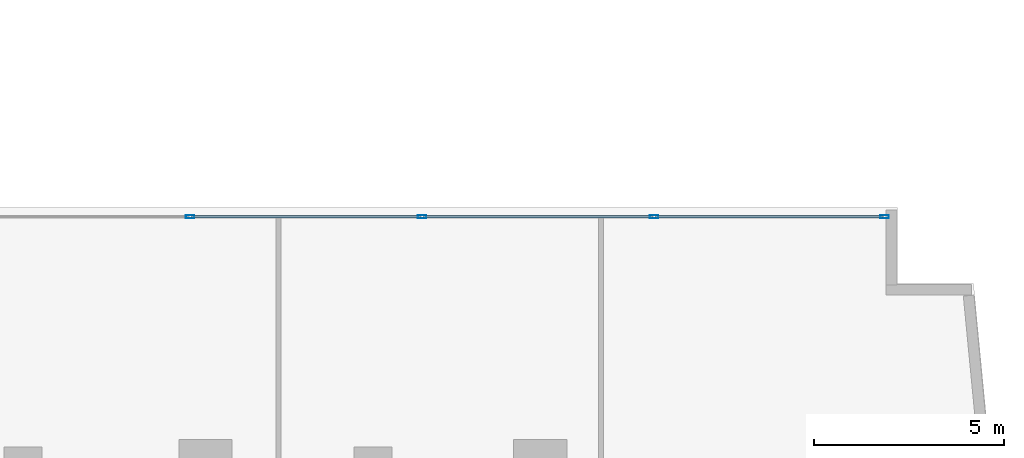
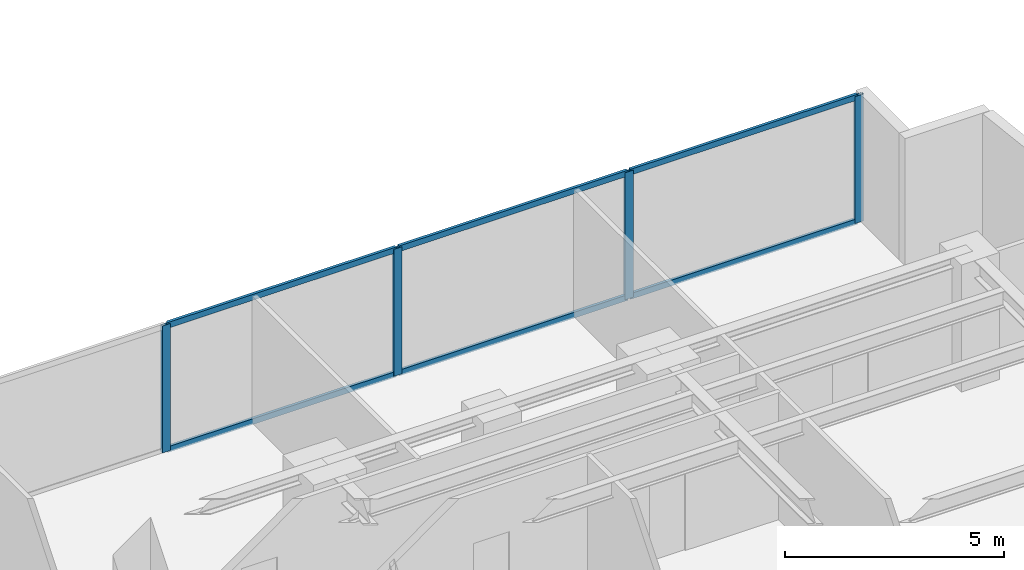
# One storey, part 14 of 28: 10 members, 1 element without a shape of its own.
"""IFC4 building model written with IfcOpenShell, lengths in metres."""

import ifcopenshell
import ifcopenshell.guid

model = None  # the IFC model being written
_history = None  # IfcOwnerHistory: only IFC2X3 demands one
_inside = {}  # id of a spatial element -> (the spatial element, [elements in it])
_under = {}  # id of a project, library or spatial element -> (it, [spatial elements below it])
_declared = {}  # id of a project -> (the project, [libraries it declares])
_typed = {}  # id of a type object -> (the type object, [elements of that type])
_made_of = {}  # id of a material, layer set ... -> (it, [elements and type objects made of it])


def new_model(schema):
    """Start an empty IFC model of exactly this schema.

    Asked for "IFC4X3", IfcOpenShell would pick the latest addendum, in which some entities
    have other attributes; the version numbers below select the first issue.
    IFC2X3 requires an IfcOwnerHistory on every rooted entity: one is made here for all.
    """
    global model, _history
    if schema == "IFC4X3":
        model = ifcopenshell.file(schema_version=(4, 3, 0, 0))
    else:
        model = ifcopenshell.file(schema=schema)
    _inside.clear()
    _under.clear()
    _declared.clear()
    _typed.clear()
    _made_of.clear()
    _history = None
    if model.schema == "IFC2X3":
        org = make("IfcOrganization", Name="unknown")
        user = make(
            "IfcPersonAndOrganization",
            ThePerson=make("IfcPerson", FamilyName="unknown"),
            TheOrganization=org,
        )
        app = make(
            "IfcApplication",
            ApplicationDeveloper=org,
            Version="unknown",
            ApplicationFullName="unknown",
            ApplicationIdentifier="unknown",
        )
        _history = make(
            "IfcOwnerHistory",
            OwningUser=user,
            OwningApplication=app,
            ChangeAction="ADDED",
            CreationDate=0,
        )
    return model


def make(cls, **values):
    """One entity of the class cls with the attributes given. An attribute that is None is left unset."""
    return model.create_entity(
        cls, **{name: value for name, value in values.items() if value is not None}
    )


def rooted(cls, **values):
    """An entity with a GlobalId (a new one), such as an element, a storey or a relation."""
    return make(cls, GlobalId=ifcopenshell.guid.new(), OwnerHistory=_history, **values)


def si_unit(unit_type, name, prefix=None):
    """IfcSIUnit, for example si_unit("LENGTHUNIT", "METRE", prefix="MILLI")."""
    return make("IfcSIUnit", UnitType=unit_type, Prefix=prefix, Name=name)


def assignment(units):
    """IfcUnitAssignment: the units of a project."""
    return None if units is None else make("IfcUnitAssignment", Units=units)


def point(xyz):
    """IfcCartesianPoint."""
    return None if xyz is None else make("IfcCartesianPoint", Coordinates=xyz)


def direction(xyz):
    """IfcDirection."""
    return None if xyz is None else make("IfcDirection", DirectionRatios=xyz)


def frame(location, z_axis=None, x_axis=None):
    """IfcAxis2Placement3D, a coordinate frame: its origin and axes. An axis left out is left unset."""
    return make(
        "IfcAxis2Placement3D",
        Location=point(location),
        Axis=direction(z_axis),
        RefDirection=direction(x_axis),
    )


def frame_2d(location, x_axis=None):
    """IfcAxis2Placement2D, a coordinate frame in the plane: its origin and x axis."""
    return make(
        "IfcAxis2Placement2D", Location=point(location), RefDirection=direction(x_axis)
    )


def origin():
    """The frame at (0, 0, 0) with its axes left unset."""
    return frame((0.0, 0.0, 0.0))


def origin_with_axes():
    """The frame at (0, 0, 0) with the z axis (0, 0, 1) and the x axis (1, 0, 0) written out."""
    return frame((0.0, 0.0, 0.0), z_axis=(0.0, 0.0, 1.0), x_axis=(1.0, 0.0, 0.0))


def origin_2d():
    """The frame at (0, 0) in the plane with its x axis left unset."""
    return frame_2d((0.0, 0.0))


def place(relative_to, where):
    """IfcLocalPlacement: puts the frame where relative to a parent placement (None: the world)."""
    return make(
        "IfcLocalPlacement", PlacementRelTo=relative_to, RelativePlacement=where
    )


def context(
    kind, dimensions, precision=None, world=None, true_north=None, identifier=None
):
    """IfcGeometricRepresentationContext, for example the 3D "Model" context."""
    return make(
        "IfcGeometricRepresentationContext",
        ContextIdentifier=identifier,
        ContextType=kind,
        CoordinateSpaceDimension=dimensions,
        Precision=precision,
        WorldCoordinateSystem=world,
        TrueNorth=true_north,
    )


def subcontext(parent, identifier, kind, view, scale=None):
    """IfcGeometricRepresentationSubContext, for example "Body" below "Model"."""
    return make(
        "IfcGeometricRepresentationSubContext",
        ContextIdentifier=identifier,
        ContextType=kind,
        ParentContext=parent,
        TargetScale=scale,
        TargetView=view,
    )


def project(units=None, contexts=None):
    """IfcProject with its units and contexts."""
    return rooted(
        "IfcProject",
        Name="project",
        RepresentationContexts=contexts,
        UnitsInContext=assignment(units),
    )


def spatial(cls, under=None, at=None, **own):
    """A site, building, storey or space (cls), placed at a placement, below another one or the project."""
    s = rooted(cls, ObjectPlacement=at, **own)
    if under is not None:
        _under.setdefault(under.id(), (under, []))[1].append(s)
    return s


def profile(cls, at=None, kind="AREA", **sizes):
    """A parametric profile (cls). Its sizes go by their IFC names, for example OverallWidth=200.0."""
    return make(cls, ProfileType=kind, Position=at, **sizes)


def hollow_rectangle(**sizes):
    """IfcRectangleHollowProfileDef."""
    return profile("IfcRectangleHollowProfileDef", **sizes)


def extrude(swept, where, along, depth):
    """IfcExtrudedAreaSolid: the profile swept, set in the frame where, extruded along a direction by depth."""
    return make(
        "IfcExtrudedAreaSolid",
        SweptArea=swept,
        Position=where,
        ExtrudedDirection=direction(along),
        Depth=depth,
    )


def shape(context_of_items, identifier, shape_type, items):
    """IfcShapeRepresentation: the items that make up one representation, for example the "Body"."""
    return make(
        "IfcShapeRepresentation",
        ContextOfItems=context_of_items,
        RepresentationIdentifier=identifier,
        RepresentationType=shape_type,
        Items=items,
    )


def source(mapping_origin, context_of_items, identifier, shape_type, items):
    """IfcRepresentationMap: a shape defined once, which mapped items show again and again."""
    return make(
        "IfcRepresentationMap",
        MappingOrigin=mapping_origin,
        MappedRepresentation=shape(context_of_items, identifier, shape_type, items),
    )


def transform(
    local_origin,
    x_axis=None,
    y_axis=None,
    z_axis=None,
    scale=None,
    scale2=None,
    scale3=None,
    uniform=True,
):
    """IfcCartesianTransformationOperator3D, or its non-uniform kind. x_axis, y_axis, z_axis: its Axis1, 2, 3."""
    if uniform:
        return make(
            "IfcCartesianTransformationOperator3D",
            Axis1=direction(x_axis),
            Axis2=direction(y_axis),
            LocalOrigin=point(local_origin),
            Scale=scale,
            Axis3=direction(z_axis),
        )
    return make(
        "IfcCartesianTransformationOperator3DnonUniform",
        Axis1=direction(x_axis),
        Axis2=direction(y_axis),
        LocalOrigin=point(local_origin),
        Scale=scale,
        Axis3=direction(z_axis),
        Scale2=scale2,
        Scale3=scale3,
    )


def mapped(mapping_source, mapping_target):
    """IfcMappedItem: shows the shape of a source again, moved by a transform."""
    return make(
        "IfcMappedItem", MappingSource=mapping_source, MappingTarget=mapping_target
    )


def material(Name=None, Category=None):
    """IfcMaterial."""
    return make("IfcMaterial", Name=Name, Category=Category)


def layer(
    of_material, thickness, ventilated=None, Name=None, Category=None, Priority=None
):
    """IfcMaterialLayer: one layer of a wall or slab, of a material (None: an air gap)."""
    return make(
        "IfcMaterialLayer",
        Material=of_material,
        LayerThickness=thickness,
        IsVentilated=ventilated,
        Name=Name,
        Category=Category,
        Priority=Priority,
    )


def layer_set(layers, Name=None):
    """IfcMaterialLayerSet."""
    return make("IfcMaterialLayerSet", MaterialLayers=layers, LayerSetName=Name)


def material_profile(
    of_material, cross_section, Name=None, Category=None, Priority=None
):
    """IfcMaterialProfile: a cross section and its material."""
    return make(
        "IfcMaterialProfile",
        Name=Name,
        Material=of_material,
        Profile=cross_section,
        Priority=Priority,
        Category=Category,
    )


def profile_set(profiles, Name=None, composite=None):
    """IfcMaterialProfileSet."""
    return make(
        "IfcMaterialProfileSet",
        Name=Name,
        MaterialProfiles=profiles,
        CompositeProfile=composite,
    )


def made_of(thing, what):
    """Note that an element or type object is made of a material, layer set ...; save() writes the relation."""
    if what is not None:
        _made_of.setdefault(what.id(), (what, []))[1].append(thing)
    return thing


def type_object(cls, material=None, **own):
    """A type object (cls), such as IfcWallType, which elements share."""
    return made_of(rooted(cls, **own), material)


def element(
    cls,
    number,
    at=None,
    inside=None,
    cuts=None,
    type_object=None,
    material=None,
    context=None,
    identifier="Body",
    shape_type=None,
    held_by="IfcProductDefinitionShape",
    body=None,
    shapes=None,
    **own,
):
    """One element of the class cls, such as IfcWall. Its Tag is "e" and its number.

    at: its placement. inside: the storey or other place that contains it. cuts: it is an
    opening in that element (IfcRelVoidsElement). A single representation is given by context,
    identifier, shape_type and body (its items); several are given by shapes. held_by: the class
    of the entity that holds the representations. save() writes the other relations.
    """
    e = rooted(cls, Tag="e%d" % number, ObjectPlacement=at, **own)
    if body is not None:
        shapes = [shape(context, identifier, shape_type, body)]
    if shapes is not None:
        e.Representation = make(held_by, Representations=shapes)
    if inside is not None:
        _inside.setdefault(inside.id(), (inside, []))[1].append(e)
    if cuts is not None:
        rooted(
            "IfcRelVoidsElement", RelatingBuildingElement=cuts, RelatedOpeningElement=e
        )
    if type_object is not None:
        _typed.setdefault(type_object.id(), (type_object, []))[1].append(e)
    return made_of(e, material)


def aggregate(whole, parts):
    """IfcRelAggregates: a whole, such as a stair, and the parts it consists of."""
    return rooted("IfcRelAggregates", RelatingObject=whole, RelatedObjects=parts)


def save(model, path):
    """Write the relations noted so far, then the file.

    IfcRelAggregates (storeys below a building ...), IfcRelContainedInSpatialStructure (elements
    in a storey), IfcRelDefinesByType, IfcRelAssociatesMaterial and IfcRelDeclares: one each for
    every whole, place, type object, material and project.
    """
    for whole, parts in _under.values():
        aggregate(whole, parts)
    for where, things in _inside.values():
        rooted(
            "IfcRelContainedInSpatialStructure",
            RelatedElements=things,
            RelatingStructure=where,
        )
    for kind, things in _typed.values():
        rooted("IfcRelDefinesByType", RelatedObjects=things, RelatingType=kind)
    for what, things in _made_of.values():
        rooted("IfcRelAssociatesMaterial", RelatedObjects=things, RelatingMaterial=what)
    for by, libraries in _declared.values():
        rooted("IfcRelDeclares", RelatingContext=by, RelatedDefinitions=libraries)
    model.write(path)


model = new_model("IFC4")

# Units and contexts
model_context = context("Model", 3, precision=1e-05, world=origin(), true_north=direction((0.0, 1.0)))
body_context = subcontext(model_context, "Body", "Model", "MODEL_VIEW")
ifc_project = project(units=[si_unit("LENGTHUNIT", "METRE"), si_unit("AREAUNIT", "SQUARE_METRE"), si_unit("VOLUMEUNIT", "CUBIC_METRE"), si_unit("PLANEANGLEUNIT", "RADIAN"), si_unit("MASSUNIT", "GRAM", prefix="KILO")], contexts=[model_context])

# Site, building, storey
site_placement = place(None, origin())
site = spatial("IfcSite", under=ifc_project, at=site_placement, CompositionType="ELEMENT")
building_placement = place(site_placement, origin())
building = spatial("IfcBuilding", under=site, at=building_placement, Name="Kolvaren Waterfront Exchange", CompositionType="ELEMENT")
storey_placement = place(building_placement, frame((0.0, 0.0, 103.10009765625)))
storey = spatial("IfcBuildingStorey", under=building, at=storey_placement, Name="L26", CompositionType="ELEMENT", Elevation=103.10009765625)

# Curtain wall, members
ifc_material_1 = material(Name="Anodised bronze aluminium 6063-T6", Category="aluminium")
ifc_layer = layer(ifc_material_1, 0.219970703125, Name="Anodised bronze aluminium 6063-T6")
ifc_layer_set = layer_set([ifc_layer], Name="Anodised bronze aluminium 6063-T6")
curtain_wall_type = type_object("IfcCurtainWallType", Name="ARC-CW-SYS1", PredefinedType="USERDEFINED", material=ifc_layer_set)
curtain_wall_placement = place(storey_placement, origin())
curtain_wall = element("IfcCurtainWall", 1, at=curtain_wall_placement, inside=storey, type_object=curtain_wall_type, Name="L26 stick curtain wall CW1 (CW-L26-EN)", ObjectType="STICK CURTAIN WALL", PredefinedType="USERDEFINED")
ifc_material_2 = material(Name="Anodised aluminium 6063-T6", Category="aluminium")
ifc_material_profile_1 = material_profile(ifc_material_2, hollow_rectangle(XDim=0.080078125, YDim=0.219970703125, WallThickness=0.0048828125, at=origin_2d()), Name="ALU-MUL-220x80x5")
ifc_profile_set_1 = profile_set([ifc_material_profile_1], Name="Anodised aluminium 6063-T6")
member_type_1 = type_object("IfcMemberType", Name="ARC-CWM-220", PredefinedType="MULLION", material=ifc_profile_set_1)
shared_shape_1 = source(origin_with_axes(), body_context, "Body", "SweptSolid", [
    extrude(hollow_rectangle(XDim=0.080078125, YDim=0.219970703125, WallThickness=0.0048828125, at=origin_2d()), origin(), (0.0, 0.0, 1.0), 3.539794921875),
])
member_1_placement = place(storey_placement, frame((36.392578125, 23.9599609375, 0.0), z_axis=(0.0, 0.0, 1.0), x_axis=(0.0, 1.0, 0.0)))
member_1 = element("IfcMember", 2, at=member_1_placement, type_object=member_type_1, Name="CW1 mullion 2", PredefinedType="MULLION", context=body_context, shape_type="MappedRepresentation", body=[
    mapped(shared_shape_1, transform((0.0, 0.0, 0.0), x_axis=(1.0, 0.0, 0.0), y_axis=(0.0, 1.0, 0.0), z_axis=(0.0, 0.0, 1.0), scale=1.0)),
])
member_2_placement = place(storey_placement, frame((42.4951171875, 23.9599609375, 0.0), z_axis=(0.0, 0.0, 1.0), x_axis=(0.0, 1.0, 0.0)))
member_2 = element("IfcMember", 3, at=member_2_placement, type_object=member_type_1, Name="CW1 mullion 3", PredefinedType="MULLION", context=body_context, shape_type="MappedRepresentation", body=[
    mapped(shared_shape_1, transform((0.0, 0.0, 0.0), x_axis=(1.0, 0.0, 0.0), y_axis=(0.0, 1.0, 0.0), z_axis=(0.0, 0.0, 1.0), scale=1.0)),
])
member_3_placement = place(storey_placement, frame((48.597412109375, 23.9599609375, 0.0), z_axis=(0.0, 0.0, 1.0), x_axis=(0.0, 1.0, 0.0)))
member_3 = element("IfcMember", 4, at=member_3_placement, type_object=member_type_1, Name="CW1 mullion 4", PredefinedType="MULLION", context=body_context, shape_type="MappedRepresentation", body=[
    mapped(shared_shape_1, transform((0.0, 0.0, 0.0), x_axis=(1.0, 0.0, 0.0), y_axis=(0.0, 1.0, 0.0), z_axis=(0.0, 0.0, 1.0), scale=1.0)),
])
member_4_placement = place(storey_placement, frame((54.659912109375, 23.9599609375, 0.0), z_axis=(0.0, 0.0, 1.0), x_axis=(0.0, 1.0, 0.0)))
member_4 = element("IfcMember", 5, at=member_4_placement, type_object=member_type_1, Name="CW1 mullion 5", PredefinedType="MULLION", context=body_context, shape_type="MappedRepresentation", body=[
    mapped(shared_shape_1, transform((0.0, 0.0, 0.0), x_axis=(1.0, 0.0, 0.0), y_axis=(0.0, 1.0, 0.0), z_axis=(0.0, 0.0, 1.0), scale=1.0)),
])
ifc_material_profile_2 = material_profile(ifc_material_2, hollow_rectangle(XDim=0.074951171875, YDim=0.159912109375, WallThickness=0.00439453125, at=origin_2d()), Name="ALU-TRN-160x75x4.5")
ifc_profile_set_2 = profile_set([ifc_material_profile_2], Name="Anodised aluminium 6063-T6")
member_type_2 = type_object("IfcMemberType", Name="ARC-CWT-160", PredefinedType="USERDEFINED", material=ifc_profile_set_2)
shared_shape_2 = source(origin_with_axes(), body_context, "Body", "SweptSolid", [
    extrude(hollow_rectangle(XDim=0.074951171875, YDim=0.159912109375, WallThickness=0.00439453125, at=origin_2d()), origin(), (0.0, 0.0, 1.0), 6.0224609375),
])
member_5_placement = place(storey_placement, frame((36.4326171875, 23.9599609375, 0.037353515625), z_axis=(1.0, 0.0, 0.0), x_axis=(0.0, 1.0, 0.0)))
member_5 = element("IfcMember", 6, at=member_5_placement, type_object=member_type_2, Name="CW1 transom 2.1", ObjectType="TRANSOM", PredefinedType="USERDEFINED", context=body_context, shape_type="MappedRepresentation", body=[
    mapped(shared_shape_2, transform((0.0, 0.0, 0.0), x_axis=(1.0, 0.0, 0.0), y_axis=(0.0, 1.0, 0.0), z_axis=(0.0, 0.0, 1.0), scale=1.0)),
])
member_6_placement = place(storey_placement, frame((36.4326171875, 23.9599609375, 3.50244140625), z_axis=(1.0, 0.0, 0.0), x_axis=(0.0, 1.0, 0.0)))
member_6 = element("IfcMember", 7, at=member_6_placement, type_object=member_type_2, Name="CW1 transom 2.2", ObjectType="TRANSOM", PredefinedType="USERDEFINED", context=body_context, shape_type="MappedRepresentation", body=[
    mapped(shared_shape_2, transform((0.0, 0.0, 0.0), x_axis=(1.0, 0.0, 0.0), y_axis=(0.0, 1.0, 0.0), z_axis=(0.0, 0.0, 1.0), scale=1.0)),
])
shared_shape_3 = source(origin_with_axes(), body_context, "Body", "SweptSolid", [
    extrude(hollow_rectangle(XDim=0.074951171875, YDim=0.159912109375, WallThickness=0.00439453125, at=origin_2d()), origin(), (0.0, 0.0, 1.0), 6.022705078125),
])
member_7_placement = place(storey_placement, frame((42.534912109375, 23.9599609375, 0.037353515625), z_axis=(1.0, 0.0, 0.0), x_axis=(0.0, 1.0, 0.0)))
member_7 = element("IfcMember", 8, at=member_7_placement, type_object=member_type_2, Name="CW1 transom 3.1", ObjectType="TRANSOM", PredefinedType="USERDEFINED", context=body_context, shape_type="MappedRepresentation", body=[
    mapped(shared_shape_3, transform((0.0, 0.0, 0.0), x_axis=(1.0, 0.0, 0.0), y_axis=(0.0, 1.0, 0.0), z_axis=(0.0, 0.0, 1.0), scale=1.0)),
])
member_8_placement = place(storey_placement, frame((42.534912109375, 23.9599609375, 3.50244140625), z_axis=(1.0, 0.0, 0.0), x_axis=(0.0, 1.0, 0.0)))
member_8 = element("IfcMember", 9, at=member_8_placement, type_object=member_type_2, Name="CW1 transom 3.2", ObjectType="TRANSOM", PredefinedType="USERDEFINED", context=body_context, shape_type="MappedRepresentation", body=[
    mapped(shared_shape_3, transform((0.0, 0.0, 0.0), x_axis=(1.0, 0.0, 0.0), y_axis=(0.0, 1.0, 0.0), z_axis=(0.0, 0.0, 1.0), scale=1.0)),
])
shared_shape_4 = source(origin_with_axes(), body_context, "Body", "SweptSolid", [
    extrude(hollow_rectangle(XDim=0.074951171875, YDim=0.159912109375, WallThickness=0.00439453125, at=origin_2d()), origin(), (0.0, 0.0, 1.0), 5.982666015625),
])
member_9_placement = place(storey_placement, frame((48.637451171875, 23.9599609375, 0.037353515625), z_axis=(1.0, 0.0, 0.0), x_axis=(0.0, 1.0, 0.0)))
member_9 = element("IfcMember", 10, at=member_9_placement, type_object=member_type_2, Name="CW1 transom 4.1", ObjectType="TRANSOM", PredefinedType="USERDEFINED", context=body_context, shape_type="MappedRepresentation", body=[
    mapped(shared_shape_4, transform((0.0, 0.0, 0.0), x_axis=(1.0, 0.0, 0.0), y_axis=(0.0, 1.0, 0.0), z_axis=(0.0, 0.0, 1.0), scale=1.0)),
])
member_10_placement = place(storey_placement, frame((48.637451171875, 23.9599609375, 3.50244140625), z_axis=(1.0, 0.0, 0.0), x_axis=(0.0, 1.0, 0.0)))
member_10 = element("IfcMember", 11, at=member_10_placement, type_object=member_type_2, Name="CW1 transom 4.2", ObjectType="TRANSOM", PredefinedType="USERDEFINED", context=body_context, shape_type="MappedRepresentation", body=[
    mapped(shared_shape_4, transform((0.0, 0.0, 0.0), x_axis=(1.0, 0.0, 0.0), y_axis=(0.0, 1.0, 0.0), z_axis=(0.0, 0.0, 1.0), scale=1.0)),
])
aggregate(curtain_wall, [member_1, member_2, member_3, member_4, member_5, member_6, member_7, member_8, member_9, member_10])

save(model, "model.ifc")
